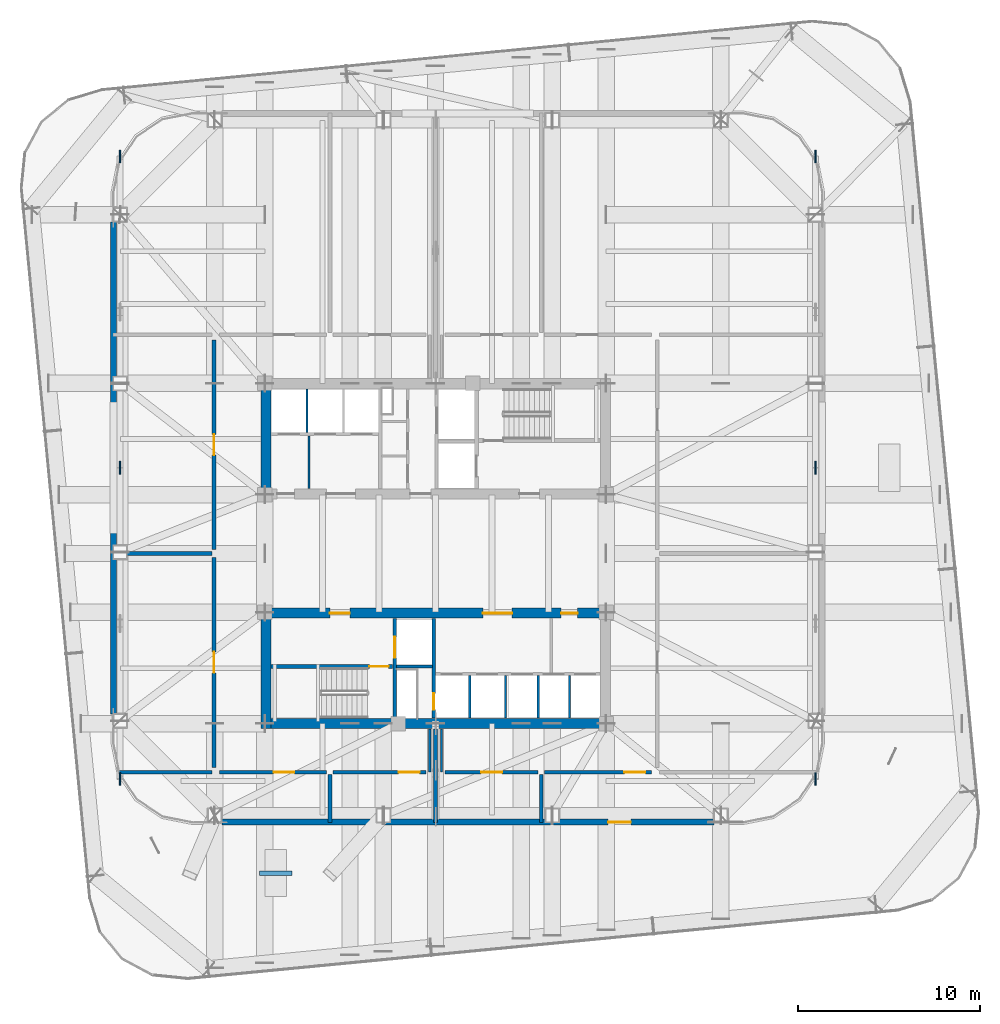
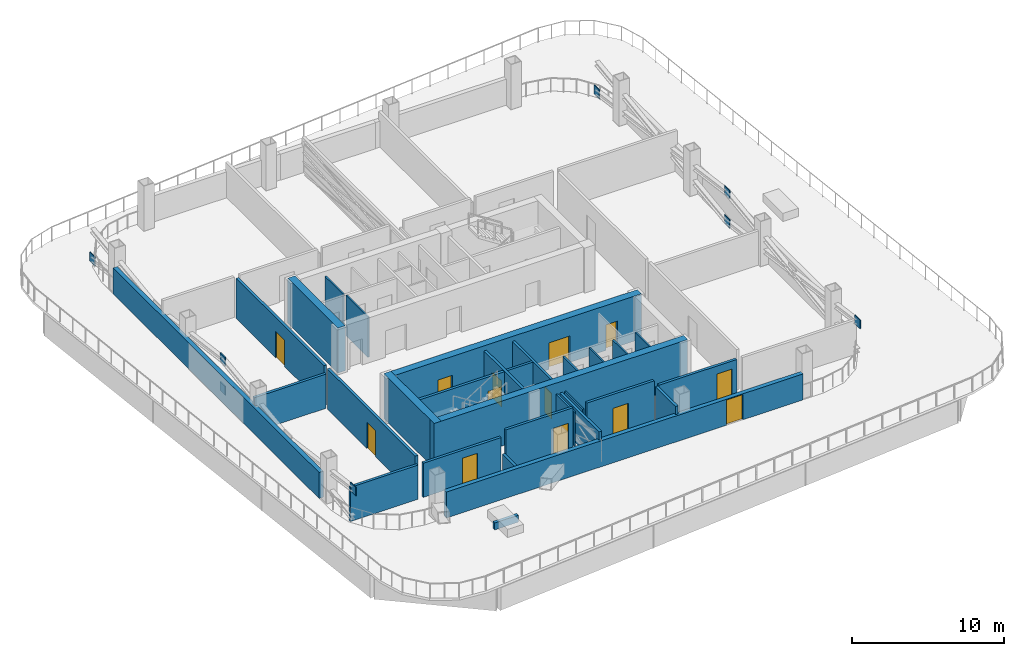
# One storey, part 8 of 15: 30 walls, 13 doors, 8 plates, 13 openings.
"""IFC4 building model written with IfcOpenShell, lengths in metres."""

from ifc_helpers import new_model, si_unit, direction, frame, frame_2d, origin, origin_2d, place, context, subcontext, project, spatial, rectangle, extrude, material, layer, layer_set, type_object, element, fill, save


model = new_model("IFC4")

# Units and contexts
model_context = context("Model", 3, precision=1e-05, world=origin(), true_north=direction((0.0, 1.0)))
body_context = subcontext(model_context, "Body", "Model", "MODEL_VIEW")
ifc_project = project(units=[si_unit("LENGTHUNIT", "METRE"), si_unit("AREAUNIT", "SQUARE_METRE"), si_unit("VOLUMEUNIT", "CUBIC_METRE"), si_unit("PLANEANGLEUNIT", "RADIAN"), si_unit("MASSUNIT", "GRAM", prefix="KILO")], contexts=[model_context])

# Site, building, storey
site_placement = place(None, origin())
site = spatial("IfcSite", under=ifc_project, at=site_placement, CompositionType="ELEMENT")
building_placement = place(site_placement, origin())
building = spatial("IfcBuilding", under=site, at=building_placement, Name="Qhalaya Broadcast Tower", CompositionType="ELEMENT")
storey_placement = place(building_placement, frame((0.0, 0.0, 101.25)))
storey = spatial("IfcBuildingStorey", under=building, at=storey_placement, Name="L29", CompositionType="ELEMENT", Elevation=101.25)

# Plates
ifc_material_1 = material(Name="Structural Steel ASTM A572 Grade 50", Category="steel")
ifc_layer_1 = layer(ifc_material_1, 0.06005859375, Name="Structural Steel ASTM A572 Grade 50")
ifc_layer_set_1 = layer_set([ifc_layer_1], Name="Structural Steel ASTM A572 Grade 50")
plate_type = type_object("IfcPlateType", Name="Outrigger Core Embed Gusset Plate NP-02", PredefinedType="USERDEFINED", material=ifc_layer_set_1)
for number, where, z_axis, x_axis, name in (
    (1, (-17.330078125, -11.7900390625, 2.419921875), (0.0, 0.0, 1.0), (0.0, 1.0, 0.0), "L29 Belt Truss End Gusset W1-B1T"),
    (2, (-17.330078125, 5.31005859375, 0.10009765625), (0.0, 0.0, 1.0), (0.0, 1.0, 0.0), "L29 Belt Truss End Gusset W1-B2B"),
    (3, (-17.330078125, 5.31005859375, 2.419921875), (0.0, 0.0, 1.0), (0.0, 1.0, 0.0), "L29 Belt Truss End Gusset W2-B1T"),
    (4, (-17.330078125, 22.409912109375, 0.10009765625), (0.0, 0.0, 1.0), (0.0, 1.0, 0.0), "L29 Belt Truss End Gusset W2-B2B"),
    (5, (20.8701171875, -11.7900390625, 2.419921875), (0.0, 0.0, 1.0), (0.0, 1.0, 0.0), "L29 Belt Truss End Gusset E1-B1T"),
    (6, (20.8701171875, 5.31005859375, 0.10009765625), (0.0, 0.0, 1.0), (0.0, 1.0, 0.0), "L29 Belt Truss End Gusset E1-B2B"),
    (7, (20.8701171875, 5.31005859375, 2.419921875), (0.0, 0.0, 1.0), (0.0, 1.0, 0.0), "L29 Belt Truss End Gusset E2-B1T"),
    (8, (20.8701171875, 22.409912109375, 0.10009765625), (0.0, 0.0, 1.0), (0.0, 1.0, 0.0), "L29 Belt Truss End Gusset E2-B2B"),
):
    element("IfcPlate", number, at=place(storey_placement, frame(where, z_axis=z_axis, x_axis=x_axis)), inside=storey, type_object=plate_type, Name=name, ObjectType="GUSSET_PLATE", PredefinedType="USERDEFINED", context=body_context, shape_type="SweptSolid", body=[
        extrude(rectangle(XDim=0.699951171875, YDim=0.06005859375, at=origin_2d()), origin(), (0.0, 0.0, 1.0), 0.699951171875),
    ])

# Wall
ifc_material_2 = material(Name="Gypsum Acoustic Partition")
ifc_layer_2 = layer(ifc_material_2, 0.199951171875, Name="Gypsum Acoustic Partition")
ifc_layer_set_2 = layer_set([ifc_layer_2], Name="Gypsum Acoustic Partition")
wall_type_1 = type_object("IfcWallType", Name="Firefighting Lobby & Stair Enclosure Wall 200", PredefinedType="PARTITIONING", material=ifc_layer_set_2)
wall_1_placement = place(storey_placement, frame((0.0, -14.169921875, 0.0), z_axis=(0.0, 0.0, 1.0), x_axis=(0.0, 1.0, 0.0)))
element("IfcWall", 9, at=wall_1_placement, inside=storey, type_object=wall_type_1, Name="L29 Partition Wall W-OBS", PredefinedType="PARTITIONING", context=body_context, shape_type="SweptSolid", body=[
    extrude(rectangle(XDim=5.1298828125, YDim=0.199951171875, at=frame_2d((2.56494140625, 0.0))), origin(), (0.0, 0.0, 1.0), 2.740966796875),
])

# Wall, opening, door
wall_2_placement = place(storey_placement, frame((-11.8701171875, -11.419921875, 0.0), z_axis=(0.0, 0.0, 1.0), x_axis=(1.0, 0.0, 0.0)))
wall_2 = element("IfcWall", 10, at=wall_2_placement, inside=storey, type_object=wall_type_1, Name="L29 Partition Wall W-PCS0", PredefinedType="PARTITIONING", context=body_context, shape_type="SweptSolid", body=[
    extrude(rectangle(XDim=5.89013671875, YDim=0.199951171875, at=frame_2d((2.945068359375, 0.0))), origin(), (0.0, 0.0, 1.0), 2.740966796875),
])
opening_1_placement = place(wall_2_placement, frame((2.969970703125, 0.0, 0.0)))
opening_1 = element("IfcOpeningElement", 11, at=opening_1_placement, cuts=wall_2, Name="Opening D05", PredefinedType="OPENING", context=body_context, shape_type="SweptSolid", body=[
    extrude(rectangle(XDim=1.14990234375, YDim=2.10009765625, at=frame_2d((0.574951171875, 1.050048828125))), frame((0.0, 0.112060546875, 0.0), z_axis=(0.0, -1.0, 0.0), x_axis=(1.0, 0.0, 0.0)), (0.0, 0.0, 1.0), 0.223876953125),
])
ifc_material_3 = material(Name="Fire-Rated Steel Door", Category="steel")
door_type_1 = type_object("IfcDoorType", Name="Refuge & Plant Room Fire Door D05", OperationType="NOTDEFINED", PredefinedType="DOOR", material=ifc_material_3)
door_1_placement = place(opening_1_placement, origin())
door_1 = element("IfcDoor", 12, at=door_1_placement, inside=storey, type_object=door_type_1, Name="L29 Door D-PCS0", OperationType="SINGLE_SWING_RIGHT", OverallHeight=2.10009765625, OverallWidth=1.14990234375, PredefinedType="DOOR", context=body_context, shape_type="SweptSolid", body=[
    extrude(rectangle(XDim=1.14990234375, YDim=2.10009765625, at=frame_2d((0.574951171875, 1.050048828125))), frame((0.0, 0.02490234375, 0.0), z_axis=(0.0, -1.0, 0.0), x_axis=(1.0, 0.0, 0.0)), (0.0, 0.0, 1.0), 0.050048828125),
])
fill(opening_1, door_1)

# Wall
wall_3_placement = place(storey_placement, frame((-5.800048828125, -14.169921875, 0.0), z_axis=(0.0, 0.0, 1.0), x_axis=(0.0, 1.0, 0.0)))
element("IfcWall", 13, at=wall_3_placement, inside=storey, type_object=wall_type_1, Name="L29 Partition Wall W-PDS1", PredefinedType="PARTITIONING", context=body_context, shape_type="SweptSolid", body=[
    extrude(rectangle(XDim=2.6298828125, YDim=0.199951171875, at=frame_2d((1.31494140625, 0.0))), origin(), (0.0, 0.0, 1.0), 1.39990234375),
])

# Wall, opening, door
wall_4_placement = place(storey_placement, frame((-5.6201171875, -11.419921875, 0.0), z_axis=(0.0, 0.0, 1.0), x_axis=(1.0, 0.0, 0.0)))
wall_4 = element("IfcWall", 14, at=wall_4_placement, inside=storey, type_object=wall_type_1, Name="L29 Partition Wall W-PCS1", PredefinedType="PARTITIONING", context=body_context, shape_type="SweptSolid", body=[
    extrude(rectangle(XDim=5.090087890625, YDim=0.199951171875, at=frame_2d((2.544921875, 0.0))), origin(), (0.0, 0.0, 1.0), 3.219970703125),
])
opening_2_placement = place(wall_4_placement, frame((3.590087890625, 0.0, 0.0)))
opening_2 = element("IfcOpeningElement", 15, at=opening_2_placement, cuts=wall_4, Name="Opening D05", PredefinedType="OPENING", context=body_context, shape_type="SweptSolid", body=[
    extrude(rectangle(XDim=1.14990234375, YDim=2.10009765625, at=frame_2d((0.574951171875, 1.050048828125))), frame((0.0, 0.112060546875, 0.0), z_axis=(0.0, -1.0, 0.0), x_axis=(1.0, 0.0, 0.0)), (0.0, 0.0, 1.0), 0.223876953125),
])
door_2_placement = place(opening_2_placement, origin())
door_2 = element("IfcDoor", 16, at=door_2_placement, inside=storey, type_object=door_type_1, Name="L29 Door D-PCS1", OperationType="SINGLE_SWING_RIGHT", OverallHeight=2.10009765625, OverallWidth=1.14990234375, PredefinedType="DOOR", context=body_context, shape_type="SweptSolid", body=[
    extrude(rectangle(XDim=1.14990234375, YDim=2.10009765625, at=frame_2d((0.574951171875, 1.050048828125))), frame((0.0, 0.02490234375, 0.0), z_axis=(0.0, -1.0, 0.0), x_axis=(1.0, 0.0, 0.0)), (0.0, 0.0, 1.0), 0.050048828125),
])
fill(opening_2, door_2)

wall_5_placement = place(storey_placement, frame((0.530029296875, -11.419921875, 0.0), z_axis=(0.0, 0.0, 1.0), x_axis=(1.0, 0.0, 0.0)))
wall_5 = element("IfcWall", 17, at=wall_5_placement, inside=storey, type_object=wall_type_1, Name="L29 Partition Wall W-PCS2", PredefinedType="PARTITIONING", context=body_context, shape_type="SweptSolid", body=[
    extrude(rectangle(XDim=5.090087890625, YDim=0.199951171875, at=frame_2d((2.544921875, 0.0))), origin(), (0.0, 0.0, 1.0), 3.219970703125),
])
opening_3_placement = place(wall_5_placement, frame((1.969970703125, 0.0, 0.0)))
opening_3 = element("IfcOpeningElement", 18, at=opening_3_placement, cuts=wall_5, Name="Opening D05", PredefinedType="OPENING", context=body_context, shape_type="SweptSolid", body=[
    extrude(rectangle(XDim=1.14990234375, YDim=2.10009765625, at=frame_2d((0.574951171875, 1.050048828125))), frame((0.0, 0.112060546875, 0.0), z_axis=(0.0, -1.0, 0.0), x_axis=(1.0, 0.0, 0.0)), (0.0, 0.0, 1.0), 0.223876953125),
])
door_3_placement = place(opening_3_placement, origin())
door_3 = element("IfcDoor", 19, at=door_3_placement, inside=storey, type_object=door_type_1, Name="L29 Door D-PCS2", OperationType="SINGLE_SWING_RIGHT", OverallHeight=2.10009765625, OverallWidth=1.14990234375, PredefinedType="DOOR", context=body_context, shape_type="SweptSolid", body=[
    extrude(rectangle(XDim=1.14990234375, YDim=2.10009765625, at=frame_2d((0.574951171875, 1.050048828125))), frame((0.0, 0.02490234375, 0.0), z_axis=(0.0, -1.0, 0.0), x_axis=(1.0, 0.0, 0.0)), (0.0, 0.0, 1.0), 0.050048828125),
])
fill(opening_3, door_3)

# Wall
wall_6_placement = place(storey_placement, frame((5.800048828125, -14.169921875, 0.0), z_axis=(0.0, 0.0, 1.0), x_axis=(0.0, 1.0, 0.0)))
element("IfcWall", 20, at=wall_6_placement, inside=storey, type_object=wall_type_1, Name="L29 Partition Wall W-PDS3", PredefinedType="PARTITIONING", context=body_context, shape_type="SweptSolid", body=[
    extrude(rectangle(XDim=2.6298828125, YDim=0.199951171875, at=frame_2d((1.31494140625, 0.0))), origin(), (0.0, 0.0, 1.0), 2.740966796875),
])

# Wall, opening, door
wall_7_placement = place(storey_placement, frame((5.97998046875, -11.419921875, 0.0), z_axis=(0.0, 0.0, 1.0), x_axis=(1.0, 0.0, 0.0)))
wall_7 = element("IfcWall", 21, at=wall_7_placement, inside=storey, type_object=wall_type_1, Name="L29 Partition Wall W-PCS3", PredefinedType="PARTITIONING", context=body_context, shape_type="SweptSolid", body=[
    extrude(rectangle(XDim=5.89013671875, YDim=0.199951171875, at=frame_2d((2.945068359375, 0.0))), origin(), (0.0, 0.0, 1.0), 2.740966796875),
])
opening_4_placement = place(wall_7_placement, frame((4.389892578125, 0.0, 0.0)))
opening_4 = element("IfcOpeningElement", 22, at=opening_4_placement, cuts=wall_7, Name="Opening D05", PredefinedType="OPENING", context=body_context, shape_type="SweptSolid", body=[
    extrude(rectangle(XDim=1.14990234375, YDim=2.10009765625, at=frame_2d((0.574951171875, 1.050048828125))), frame((0.0, 0.112060546875, 0.0), z_axis=(0.0, -1.0, 0.0), x_axis=(1.0, 0.0, 0.0)), (0.0, 0.0, 1.0), 0.223876953125),
])
door_4_placement = place(opening_4_placement, origin())
door_4 = element("IfcDoor", 23, at=door_4_placement, inside=storey, type_object=door_type_1, Name="L29 Door D-PCS3", OperationType="SINGLE_SWING_RIGHT", OverallHeight=2.10009765625, OverallWidth=1.14990234375, PredefinedType="DOOR", context=body_context, shape_type="SweptSolid", body=[
    extrude(rectangle(XDim=1.14990234375, YDim=2.10009765625, at=frame_2d((0.574951171875, 1.050048828125))), frame((0.0, 0.02490234375, 0.0), z_axis=(0.0, -1.0, 0.0), x_axis=(1.0, 0.0, 0.0)), (0.0, 0.0, 1.0), 0.050048828125),
])
fill(opening_4, door_4)

# Walls
wall_8_placement = place(storey_placement, frame((-17.383544921875, -11.419921875, 0.0), z_axis=(0.0, 0.0, 1.0), x_axis=(1.0, 0.0, 0.0)))
element("IfcWall", 24, at=wall_8_placement, inside=storey, type_object=wall_type_1, Name="L29 Partition Wall W-PBSW", PredefinedType="PARTITIONING", context=body_context, shape_type="SweptSolid", body=[
    extrude(rectangle(XDim=5.093505859375, YDim=0.199951171875, at=frame_2d((2.546875, 0.0))), origin(), (0.0, 0.0, 1.0), 2.740966796875),
])
wall_9_placement = place(storey_placement, frame((-17.7099609375, 0.60009765625, 0.0), z_axis=(0.0, 0.0, 1.0), x_axis=(1.0, 0.0, 0.0)))
element("IfcWall", 25, at=wall_9_placement, inside=storey, type_object=wall_type_1, Name="L29 Partition Wall W-PDW1", PredefinedType="PARTITIONING", context=body_context, shape_type="SweptSolid", body=[
    extrude(rectangle(XDim=5.419921875, YDim=0.199951171875, at=frame_2d((2.7099609375, 0.0))), origin(), (0.0, 0.0, 1.0), 2.740966796875),
])

# Wall, opening, door
wall_10_placement = place(storey_placement, frame((-12.169921875, -11.139892578125, 0.0), z_axis=(0.0, 0.0, 1.0), x_axis=(0.0, 1.0, 0.0)))
wall_10 = element("IfcWall", 26, at=wall_10_placement, inside=storey, type_object=wall_type_1, Name="L29 Partition Wall W-PCW1", PredefinedType="PARTITIONING", context=body_context, shape_type="SweptSolid", body=[
    extrude(rectangle(XDim=11.52978515625, YDim=0.199951171875, at=frame_2d((5.764892578125, 0.0))), origin(), (0.0, 0.0, 1.0), 3.219970703125),
])
opening_5_placement = place(wall_10_placement, frame((5.18994140625, 0.0, 0.0)))
opening_5 = element("IfcOpeningElement", 27, at=opening_5_placement, cuts=wall_10, Name="Opening D05", PredefinedType="OPENING", context=body_context, shape_type="SweptSolid", body=[
    extrude(rectangle(XDim=1.14990234375, YDim=2.10009765625, at=frame_2d((0.574951171875, 1.050048828125))), frame((0.0, 0.112060546875, 0.0), z_axis=(0.0, -1.0, 0.0), x_axis=(1.0, 0.0, 0.0)), (0.0, 0.0, 1.0), 0.223876953125),
])
door_5_placement = place(opening_5_placement, origin())
door_5 = element("IfcDoor", 28, at=door_5_placement, inside=storey, type_object=door_type_1, Name="L29 Door D-PCW1", OperationType="SINGLE_SWING_LEFT", OverallHeight=2.10009765625, OverallWidth=1.14990234375, PredefinedType="DOOR", context=body_context, shape_type="SweptSolid", body=[
    extrude(rectangle(XDim=1.14990234375, YDim=2.10009765625, at=frame_2d((0.574951171875, 1.050048828125))), frame((0.0, 0.02490234375, 0.0), z_axis=(0.0, -1.0, 0.0), x_axis=(1.0, 0.0, 0.0)), (0.0, 0.0, 1.0), 0.050048828125),
])
fill(opening_5, door_5)

wall_11_placement = place(storey_placement, frame((-12.169921875, 0.81005859375, 0.0), z_axis=(0.0, 0.0, 1.0), x_axis=(0.0, 1.0, 0.0)))
wall_11 = element("IfcWall", 29, at=wall_11_placement, inside=storey, type_object=wall_type_1, Name="L29 Partition Wall W-PCW2", PredefinedType="PARTITIONING", context=body_context, shape_type="SweptSolid", body=[
    extrude(rectangle(XDim=11.530029296875, YDim=0.199951171875, at=frame_2d((5.76513671875, 0.0))), origin(), (0.0, 0.0, 1.0), 3.219970703125),
])
opening_6_placement = place(wall_11_placement, frame((5.18994140625, 0.0, 0.0)))
opening_6 = element("IfcOpeningElement", 30, at=opening_6_placement, cuts=wall_11, Name="Opening D05", PredefinedType="OPENING", context=body_context, shape_type="SweptSolid", body=[
    extrude(rectangle(XDim=1.14990234375, YDim=2.10009765625, at=frame_2d((0.574951171875, 1.050048828125))), frame((0.0, 0.112060546875, 0.0), z_axis=(0.0, -1.0, 0.0), x_axis=(1.0, 0.0, 0.0)), (0.0, 0.0, 1.0), 0.223876953125),
])
door_6_placement = place(opening_6_placement, origin())
door_6 = element("IfcDoor", 31, at=door_6_placement, inside=storey, type_object=door_type_1, Name="L29 Door D-PCW2", OperationType="SINGLE_SWING_RIGHT", OverallHeight=2.10009765625, OverallWidth=1.14990234375, PredefinedType="DOOR", context=body_context, shape_type="SweptSolid", body=[
    extrude(rectangle(XDim=1.14990234375, YDim=2.10009765625, at=frame_2d((0.574951171875, 1.050048828125))), frame((0.0, 0.02490234375, 0.0), z_axis=(0.0, -1.0, 0.0), x_axis=(1.0, 0.0, 0.0)), (0.0, 0.0, 1.0), 0.050048828125),
])
fill(opening_6, door_6)

ifc_material_4 = material(Name="Concrete C50/60", Category="concrete")
ifc_layer_3 = layer(ifc_material_4, 0.199951171875, Name="Concrete C50/60")
ifc_layer_set_3 = layer_set([ifc_layer_3], Name="Concrete C50/60")
wall_type_2 = type_object("IfcWallType", Name="Load-Bearing Stair Shaft Wall 200", PredefinedType="SHEAR", material=ifc_layer_set_3)
wall_12_placement = place(storey_placement, frame((-9.030029296875, -5.60498046875, 0.0), z_axis=(0.0, 0.0, 1.0), x_axis=(1.0, 0.0, 0.0)))
wall_12 = element("IfcWall", 32, at=wall_12_placement, inside=storey, type_object=wall_type_2, Name="L29 Stair Core Shear Wall SCW-ST2", PredefinedType="SHEAR", context=body_context, shape_type="SweptSolid", body=[
    extrude(rectangle(XDim=6.669921875, YDim=0.199951171875, at=frame_2d((3.3349609375, 0.0))), origin(), (0.0, 0.0, 1.0), 3.219970703125),
])
opening_7_placement = place(wall_12_placement, frame((5.39990234375, 0.0, 0.0)))
opening_7 = element("IfcOpeningElement", 33, at=opening_7_placement, cuts=wall_12, Name="Opening D03", PredefinedType="OPENING", context=body_context, shape_type="SweptSolid", body=[
    extrude(rectangle(XDim=1.050048828125, YDim=2.080078125, at=frame_2d((0.52490234375, 1.0400390625))), frame((0.0, 0.112060546875, 0.0), z_axis=(0.0, -1.0, 0.0), x_axis=(1.0, 0.0, 0.0)), (0.0, 0.0, 1.0), 0.223876953125),
])
door_type_2 = type_object("IfcDoorType", Name="Core Stair Protected Fire Door D03", OperationType="NOTDEFINED", PredefinedType="DOOR", material=ifc_material_3)
door_7_placement = place(opening_7_placement, origin())
door_7 = element("IfcDoor", 34, at=door_7_placement, inside=storey, type_object=door_type_2, Name="L29 Door D-SST2", OperationType="SINGLE_SWING_RIGHT", OverallHeight=2.080078125, OverallWidth=1.050048828125, PredefinedType="DOOR", context=body_context, shape_type="SweptSolid", body=[
    extrude(rectangle(XDim=1.050048828125, YDim=2.080078125, at=frame_2d((0.52490234375, 1.0400390625))), frame((0.0, 0.02490234375, 0.0), z_axis=(0.0, -1.0, 0.0), x_axis=(1.0, 0.0, 0.0)), (0.0, 0.0, 1.0), 0.050048828125),
])
fill(opening_7, door_7)

wall_13_placement = place(storey_placement, frame((-2.25, -8.429931640625, 0.0), z_axis=(0.0, 0.0, 1.0), x_axis=(0.0, 1.0, 0.0)))
wall_13 = element("IfcWall", 35, at=wall_13_placement, inside=storey, type_object=wall_type_2, Name="L29 Stair Core Shear Wall SCW-FF", PredefinedType="SHEAR", context=body_context, shape_type="SweptSolid", body=[
    extrude(rectangle(XDim=5.4599609375, YDim=0.199951171875, at=frame_2d((2.72998046875, 0.0))), origin(), (0.0, 0.0, 1.0), 3.219970703125),
])
opening_8_placement = place(wall_13_placement, frame((3.300048828125, 0.0, 0.0)))
opening_8 = element("IfcOpeningElement", 36, at=opening_8_placement, cuts=wall_13, Name="Opening LD2", PredefinedType="OPENING", context=body_context, shape_type="SweptSolid", body=[
    extrude(rectangle(XDim=1.14990234375, YDim=2.080078125, at=frame_2d((0.574951171875, 1.0400390625))), frame((0.0, 0.112060546875, 0.0), z_axis=(0.0, -1.0, 0.0), x_axis=(1.0, 0.0, 0.0)), (0.0, 0.0, 1.0), 0.223876953125),
])
ifc_material_5 = material(Name="Brushed Stainless Steel Lift Door", Category="steel")
door_type_3 = type_object("IfcDoorType", Name="Firefighting Lift Sliding Landing Door LD2", OperationType="DOUBLE_DOOR_SLIDING", PredefinedType="DOOR", material=ifc_material_5)
door_8_placement = place(opening_8_placement, origin())
door_8 = element("IfcDoor", 37, at=door_8_placement, inside=storey, type_object=door_type_3, Name="L29 Door LD-FF2", OperationType="DOUBLE_DOOR_SLIDING", OverallHeight=2.080078125, OverallWidth=1.14990234375, PredefinedType="DOOR", context=body_context, shape_type="SweptSolid", body=[
    extrude(rectangle(XDim=1.14990234375, YDim=2.080078125, at=frame_2d((0.574951171875, 1.0400390625))), frame((0.0, 0.02490234375, 0.0), z_axis=(0.0, -1.0, 0.0), x_axis=(1.0, 0.0, 0.0)), (0.0, 0.0, 1.0), 0.050048828125),
])
fill(opening_8, door_8)

# Walls
ifc_material_6 = material(Name="Concrete C60/75", Category="concrete")
ifc_layer_4 = layer(ifc_material_6, 0.550048828125, Name="Concrete C60/75")
ifc_layer_set_4 = layer_set([ifc_layer_4], Name="Concrete C60/75")
wall_type_3 = type_object("IfcWallType", Name="Lower Split-Core Shear Wall 550", PredefinedType="SHEAR", material=ifc_layer_set_4)
wall_14_placement = place(storey_placement, frame((-9.324951171875, 3.60009765625, 0.0), z_axis=(0.0, 0.0, 1.0), x_axis=(0.0, 1.0, 0.0)))
element("IfcWall", 38, at=wall_14_placement, inside=storey, type_object=wall_type_3, Name="L29 Split-Core Shear Wall CW-NW", PredefinedType="SHEAR", context=body_context, shape_type="SweptSolid", body=[
    extrude(rectangle(XDim=6.599853515625, YDim=0.550048828125, at=frame_2d((3.2998046875, 0.0))), origin(), (0.0, 0.0, 1.0), 3.60009765625),
])
wall_15_placement = place(storey_placement, frame((-9.60009765625, -8.72509765625, 0.0), z_axis=(0.0, 0.0, 1.0), x_axis=(1.0, 0.0, 0.0)))
element("IfcWall", 39, at=wall_15_placement, inside=storey, type_object=wall_type_3, Name="L29 Split-Core Shear Wall CW-SS", PredefinedType="SHEAR", context=body_context, shape_type="SweptSolid", body=[
    extrude(rectangle(XDim=19.2001953125, YDim=0.550048828125, at=frame_2d((9.60009765625, 0.0))), origin(), (0.0, 0.0, 1.0), 3.60009765625),
])

# Wall, openings, doors
wall_16_placement = place(storey_placement, frame((-9.60009765625, -2.675048828125, 0.0), z_axis=(0.0, 0.0, 1.0), x_axis=(1.0, 0.0, 0.0)))
wall_16 = element("IfcWall", 40, at=wall_16_placement, inside=storey, type_object=wall_type_3, Name="L29 Split-Core Shear Wall CW-SN", PredefinedType="SHEAR", context=body_context, shape_type="SweptSolid", body=[
    extrude(rectangle(XDim=19.2001953125, YDim=0.550048828125, at=frame_2d((9.60009765625, 0.0))), origin(), (0.0, 0.0, 1.0), 3.60009765625),
])
opening_9_placement = place(wall_16_placement, frame((3.800048828125, 0.0, 0.0)))
opening_9 = element("IfcOpeningElement", 41, at=opening_9_placement, cuts=wall_16, Name="Opening D04", PredefinedType="OPENING", context=body_context, shape_type="SweptSolid", body=[
    extrude(rectangle(XDim=1.10009765625, YDim=2.080078125, at=frame_2d((0.550048828125, 1.0400390625))), frame((0.0, 0.287109375, 0.0), z_axis=(0.0, -1.0, 0.0), x_axis=(1.0, 0.0, 0.0)), (0.0, 0.0, 1.0), 0.573974609375),
])
opening_10_placement = place(wall_16_placement, frame((12.199951171875, 0.0, 0.0)))
opening_10 = element("IfcOpeningElement", 42, at=opening_10_placement, cuts=wall_16, Name="Opening D07", PredefinedType="OPENING", context=body_context, shape_type="SweptSolid", body=[
    extrude(rectangle(XDim=1.60009765625, YDim=2.1201171875, at=frame_2d((0.800048828125, 1.06005859375))), frame((0.0, 0.287109375, 0.0), z_axis=(0.0, -1.0, 0.0), x_axis=(1.0, 0.0, 0.0)), (0.0, 0.0, 1.0), 0.573974609375),
])
opening_11_placement = place(wall_16_placement, frame((16.5, 0.0, 0.0)))
opening_11 = element("IfcOpeningElement", 43, at=opening_11_placement, cuts=wall_16, Name="Opening D06", PredefinedType="OPENING", context=body_context, shape_type="SweptSolid", body=[
    extrude(rectangle(XDim=0.89990234375, YDim=2.050048828125, at=frame_2d((0.449951171875, 1.02490234375))), frame((0.0, 0.287109375, 0.0), z_axis=(0.0, -1.0, 0.0), x_axis=(1.0, 0.0, 0.0)), (0.0, 0.0, 1.0), 0.573974609375),
])
door_type_4 = type_object("IfcDoorType", Name="Firefighting Lobby Rated Door D04", OperationType="NOTDEFINED", PredefinedType="DOOR", material=ifc_material_3)
door_9_placement = place(opening_9_placement, origin())
door_9 = element("IfcDoor", 44, at=door_9_placement, inside=storey, type_object=door_type_4, Name="L29 Door D-SFF", OperationType="SINGLE_SWING_LEFT", OverallHeight=2.080078125, OverallWidth=1.10009765625, PredefinedType="DOOR", context=body_context, shape_type="SweptSolid", body=[
    extrude(rectangle(XDim=1.10009765625, YDim=2.080078125, at=frame_2d((0.550048828125, 1.0400390625))), frame((0.0, 0.02490234375, 0.0), z_axis=(0.0, -1.0, 0.0), x_axis=(1.0, 0.0, 0.0)), (0.0, 0.0, 1.0), 0.050048828125),
])
fill(opening_9, door_9)
ifc_material_7 = material(Name="Anodised Aluminium Glazed Door", Category="aluminium")
door_type_5 = type_object("IfcDoorType", Name="Passenger Lift Lobby Double Glazed Door D07", OperationType="DOUBLE_DOOR_SINGLE_SWING", PredefinedType="DOOR", material=ifc_material_7)
door_10_placement = place(opening_10_placement, origin())
door_10 = element("IfcDoor", 45, at=door_10_placement, inside=storey, type_object=door_type_5, Name="L29 Door D-SPLL", OperationType="DOUBLE_DOOR_SINGLE_SWING", OverallHeight=2.1201171875, OverallWidth=1.60009765625, PredefinedType="DOOR", context=body_context, shape_type="SweptSolid", body=[
    extrude(rectangle(XDim=1.60009765625, YDim=2.1201171875, at=frame_2d((0.800048828125, 1.06005859375))), frame((0.0, 0.02490234375, 0.0), z_axis=(0.0, -1.0, 0.0), x_axis=(1.0, 0.0, 0.0)), (0.0, 0.0, 1.0), 0.050048828125),
])
fill(opening_10, door_10)
door_type_6 = type_object("IfcDoorType", Name="Riser & Electrical Shaft Access Door D06", OperationType="NOTDEFINED", PredefinedType="DOOR", material=ifc_material_3)
door_11_placement = place(opening_11_placement, origin())
door_11 = element("IfcDoor", 46, at=door_11_placement, inside=storey, type_object=door_type_6, Name="L29 Door D-SSCST", OperationType="SINGLE_SWING_LEFT", OverallHeight=2.050048828125, OverallWidth=0.89990234375, PredefinedType="DOOR", context=body_context, shape_type="SweptSolid", body=[
    extrude(rectangle(XDim=0.89990234375, YDim=2.050048828125, at=frame_2d((0.449951171875, 1.02490234375))), frame((0.0, 0.02490234375, 0.0), z_axis=(0.0, -1.0, 0.0), x_axis=(1.0, 0.0, 0.0)), (0.0, 0.0, 1.0), 0.050048828125),
])
fill(opening_11, door_11)

# Walls
wall_17_placement = place(storey_placement, frame((-9.324951171875, -9.0, 0.0), z_axis=(0.0, 0.0, 1.0), x_axis=(0.0, 1.0, 0.0)))
element("IfcWall", 47, at=wall_17_placement, inside=storey, type_object=wall_type_3, Name="L29 Split-Core Shear Wall CW-SW", PredefinedType="SHEAR", context=body_context, shape_type="SweptSolid", body=[
    extrude(rectangle(XDim=6.60009765625, YDim=0.550048828125, at=frame_2d((3.300048828125, 0.0))), origin(), (0.0, 0.0, 1.0), 3.60009765625),
])
ifc_layer_5 = layer(ifc_material_2, 0.1201171875, Name="Gypsum Acoustic Partition")
ifc_layer_set_5 = layer_set([ifc_layer_5], Name="Gypsum Acoustic Partition")
wall_type_4 = type_object("IfcWallType", Name="Office, Booth & Sanitary Partition 120", PredefinedType="PARTITIONING", material=ifc_layer_set_5)
wall_18_placement = place(storey_placement, frame((-7.06005859375, 7.25, 0.0), z_axis=(0.0, 0.0, 1.0), x_axis=(0.0, 1.0, 0.0)))
element("IfcWall", 48, at=wall_18_placement, inside=storey, type_object=wall_type_4, Name="L29 Partition Wall NCW-PD1", PredefinedType="PARTITIONING", context=body_context, shape_type="SweptSolid", body=[
    extrude(rectangle(XDim=2.3798828125, YDim=0.1201171875, at=frame_2d((1.18994140625, 0.0))), origin(), (0.0, 0.0, 1.0), 3.219970703125),
])
wall_19_placement = place(storey_placement, frame((-6.949951171875, 4.169921875, 0.0), z_axis=(0.0, 0.0, 1.0), x_axis=(0.0, 1.0, 0.0)))
element("IfcWall", 49, at=wall_19_placement, inside=storey, type_object=wall_type_4, Name="L29 Partition Wall NCW-LKB", PredefinedType="PARTITIONING", context=body_context, shape_type="SweptSolid", body=[
    extrude(rectangle(XDim=2.89013671875, YDim=0.1201171875, at=frame_2d((1.445068359375, 0.0))), origin(), (0.0, 0.0, 1.0), 3.219970703125),
])
for number, where, z_axis, x_axis, name in (
    (50, (1.8798828125, -8.429931640625, 0.0), (0.0, 0.0, 1.0), (0.0, 1.0, 0.0), "L29 Partition Wall SCW-MD4"),
    (51, (3.85009765625, -8.429931640625, 0.0), (0.0, 0.0, 1.0), (0.0, 1.0, 0.0), "L29 Partition Wall SCW-MD5"),
    (52, (5.639892578125, -8.429931640625, 0.0), (0.0, 0.0, 1.0), (0.0, 1.0, 0.0), "L29 Partition Wall SCW-HD6"),
    (53, (7.360107421875, -8.429931640625, 0.0), (0.0, 0.0, 1.0), (0.0, 1.0, 0.0), "L29 Partition Wall SCW-HD7"),
):
    element("IfcWall", number, at=place(storey_placement, frame(where, z_axis=z_axis, x_axis=x_axis)), inside=storey, type_object=wall_type_4, Name=name, PredefinedType="PARTITIONING", context=body_context, shape_type="SweptSolid", body=[
        extrude(rectangle(XDim=2.329833984375, YDim=0.1201171875, at=frame_2d((1.1650390625, 0.0))), origin(), (0.0, 0.0, 1.0), 3.219970703125),
    ])
for number, where, z_axis, x_axis, name in (
    (54, (-0.320068359375, -11.39990234375, 0.0), (0.0, 0.0, 1.0), (0.0, 1.0, 0.0), "L29 Partition Wall W-OBSCW"),
    (55, (0.320068359375, -11.39990234375, 0.0), (0.0, 0.0, 1.0), (0.0, 1.0, 0.0), "L29 Partition Wall W-OBSCE"),
):
    element("IfcWall", number, at=place(storey_placement, frame(where, z_axis=z_axis, x_axis=x_axis)), inside=storey, type_object=wall_type_4, Name=name, PredefinedType="PARTITIONING", context=body_context, shape_type="SweptSolid", body=[
        extrude(rectangle(XDim=2.35986328125, YDim=0.1201171875, at=frame_2d((1.179931640625, 0.0))), origin(), (0.0, 0.0, 1.0), 2.740966796875),
    ])
ifc_material_8 = material(Name="Precast Concrete C40/50", Category="concrete")
ifc_layer_6 = layer(ifc_material_8, 0.239990234375, Name="Precast Concrete C40/50")
ifc_layer_set_6 = layer_set([ifc_layer_6], Name="Precast Concrete C40/50")
wall_type_5 = type_object("IfcWallType", Name="Planted Terrace & Roof Parapet Upstand 240", PredefinedType="PARAPET", material=ifc_layer_set_6)
wall_20_placement = place(storey_placement, frame((-9.677734375, -16.9521484375, 0.0), z_axis=(0.0, 0.0, 1.0), x_axis=(1.0, 0.0, 0.0)))
element("IfcWall", 56, at=wall_20_placement, inside=storey, type_object=wall_type_5, Name="L29 Planted Parapet Upstand PW-1", PredefinedType="PARAPET", context=body_context, shape_type="SweptSolid", body=[
    extrude(rectangle(XDim=1.800048828125, YDim=0.239990234375, at=frame_2d((0.89990234375, 0.0))), origin(), (0.0, 0.0, 1.0), 0.550048828125),
])

# Wall, opening, door
ifc_layer_7 = layer(ifc_material_8, 0.320068359375, Name="Precast Concrete C40/50")
ifc_layer_set_7 = layer_set([ifc_layer_7], Name="Precast Concrete C40/50")
wall_type_6 = type_object("IfcWallType", Name="Recessed Neck Insulated Exterior Wall 320", PredefinedType="SOLIDWALL", material=ifc_layer_set_7)
wall_21_placement = place(storey_placement, frame((15.281982421875, -14.14990234375, 0.0), z_axis=(0.0, 0.0, 1.0), x_axis=(-1.0, 0.0, 0.0)))
wall_21 = element("IfcWall", 57, at=wall_21_placement, inside=storey, type_object=wall_type_6, Name="L29 Exterior Facade Wall S", PredefinedType="SOLIDWALL", context=body_context, shape_type="SweptSolid", body=[
    extrude(rectangle(XDim=27.02392578125, YDim=0.320068359375, at=frame_2d((13.511962890625, 0.0))), origin(), (0.0, 0.0, 1.0), 2.08203125),
])
opening_12_placement = place(wall_21_placement, frame((4.553955078125, 0.0, 0.0)))
opening_12 = element("IfcOpeningElement", 58, at=opening_12_placement, cuts=wall_21, Name="Opening D13", PredefinedType="OPENING", context=body_context, shape_type="SweptSolid", body=[
    extrude(rectangle(XDim=1.25, YDim=2.02001953125, at=frame_2d((0.625, 1.010009765625))), frame((0.0, 0.172119140625, 0.0), z_axis=(0.0, -1.0, 0.0), x_axis=(1.0, 0.0, 0.0)), (0.0, 0.0, 1.0), 0.343994140625),
])
door_type_7 = type_object("IfcDoorType", Name="Sky-Garden, Sky-Pool & Lookout Terrace Door D13", OperationType="NOTDEFINED", PredefinedType="DOOR", material=ifc_material_7)
door_12_placement = place(opening_12_placement, origin())
door_12 = element("IfcDoor", 59, at=door_12_placement, inside=storey, type_object=door_type_7, Name="L29 Outdoor Terrace Access Door S", OperationType="SINGLE_SWING_RIGHT", OverallHeight=2.02001953125, OverallWidth=1.25, PredefinedType="DOOR", context=body_context, shape_type="SweptSolid", body=[
    extrude(rectangle(XDim=1.25, YDim=2.02001953125, at=frame_2d((0.625, 1.010009765625))), frame((0.0, 0.02490234375, 0.0), z_axis=(0.0, -1.0, 0.0), x_axis=(1.0, 0.0, 0.0)), (0.0, 0.0, 1.0), 0.050048828125),
])
fill(opening_12, door_12)

# Wall
wall_22_placement = place(storey_placement, frame((-17.68994140625, -8.201904296875, 0.0), z_axis=(0.0, 0.0, 1.0), x_axis=(0.0, 1.0, 0.0)))
element("IfcWall", 60, at=wall_22_placement, inside=storey, type_object=wall_type_6, Name="L29 Exterior Facade Wall W", PredefinedType="SOLIDWALL", context=body_context, shape_type="SweptSolid", body=[
    extrude(rectangle(XDim=27.02392578125, YDim=0.320068359375, at=frame_2d((13.511962890625, 0.0))), origin(), (0.0, 0.0, 1.0), 2.08203125),
])

# Wall, opening, door
ifc_layer_8 = layer(ifc_material_2, 0.175048828125, Name="Gypsum Acoustic Partition")
ifc_layer_set_8 = layer_set([ifc_layer_8], Name="Gypsum Acoustic Partition")
wall_type_7 = type_object("IfcWallType", Name="Shaft & Riser Fire Partition 175", PredefinedType="PARTITIONING", material=ifc_layer_set_8)
wall_23_placement = place(storey_placement, frame((-0.10009765625, -8.429931640625, 0.0), z_axis=(0.0, 0.0, 1.0), x_axis=(0.0, 1.0, 0.0)))
wall_23 = element("IfcWall", 61, at=wall_23_placement, inside=storey, type_object=wall_type_7, Name="L29 Partition Wall SCW-FFE", PredefinedType="PARTITIONING", context=body_context, shape_type="SweptSolid", body=[
    extrude(rectangle(XDim=5.4599609375, YDim=0.175048828125, at=frame_2d((2.72998046875, 0.0))), origin(), (0.0, 0.0, 1.0), 3.219970703125),
])
opening_13_placement = place(wall_23_placement, frame((0.449951171875, 0.0, 0.0)))
opening_13 = element("IfcOpeningElement", 62, at=opening_13_placement, cuts=wall_23, Name="Opening D06", PredefinedType="OPENING", context=body_context, shape_type="SweptSolid", body=[
    extrude(rectangle(XDim=0.89990234375, YDim=2.050048828125, at=frame_2d((0.449951171875, 1.02490234375))), frame((0.0, 0.099609375, 0.0), z_axis=(0.0, -1.0, 0.0), x_axis=(1.0, 0.0, 0.0)), (0.0, 0.0, 1.0), 0.198974609375),
])
door_13_placement = place(opening_13_placement, origin())
door_13 = element("IfcDoor", 63, at=door_13_placement, inside=storey, type_object=door_type_6, Name="L29 Riser Shaft Access Door D-SRSR", OperationType="SINGLE_SWING_LEFT", OverallHeight=2.050048828125, OverallWidth=0.89990234375, PredefinedType="DOOR", context=body_context, shape_type="SweptSolid", body=[
    extrude(rectangle(XDim=0.89990234375, YDim=2.050048828125, at=frame_2d((0.449951171875, 1.02490234375))), frame((0.0, 0.02490234375, 0.0), z_axis=(0.0, -1.0, 0.0), x_axis=(1.0, 0.0, 0.0)), (0.0, 0.0, 1.0), 0.050048828125),
])
fill(opening_13, door_13)

# Wall
wall_24_placement = place(storey_placement, frame((-2.14990234375, -5.60009765625, 0.0), z_axis=(0.0, 0.0, 1.0), x_axis=(1.0, 0.0, 0.0)))
element("IfcWall", 64, at=wall_24_placement, inside=storey, type_object=wall_type_7, Name="L29 Partition Wall SCW-FFM", PredefinedType="PARTITIONING", context=body_context, shape_type="SweptSolid", body=[
    extrude(rectangle(XDim=1.969970703125, YDim=0.175048828125, at=frame_2d((0.98486328125, 0.0))), origin(), (0.0, 0.0, 1.0), 3.219970703125),
])

save(model, "model.ifc")
